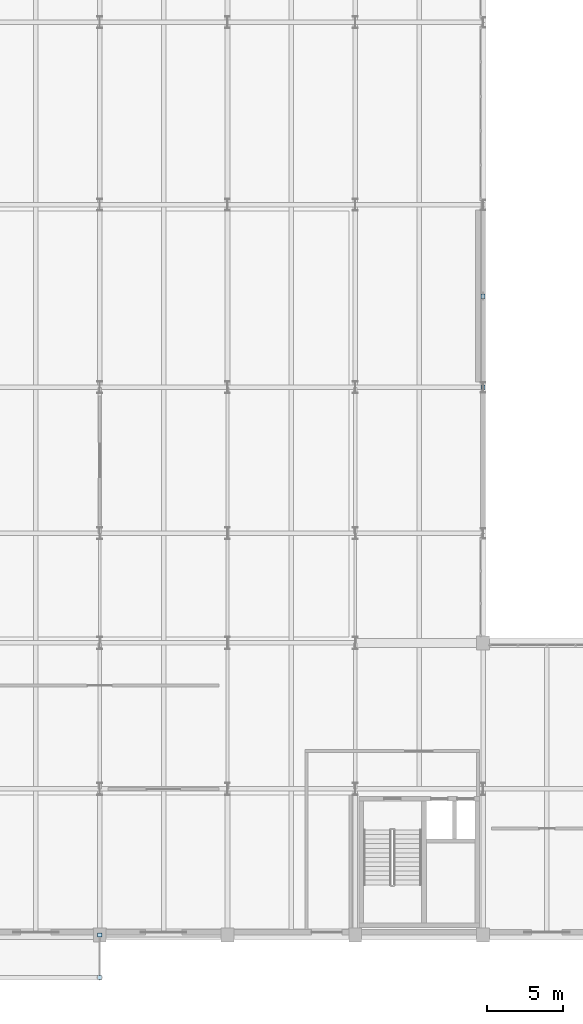
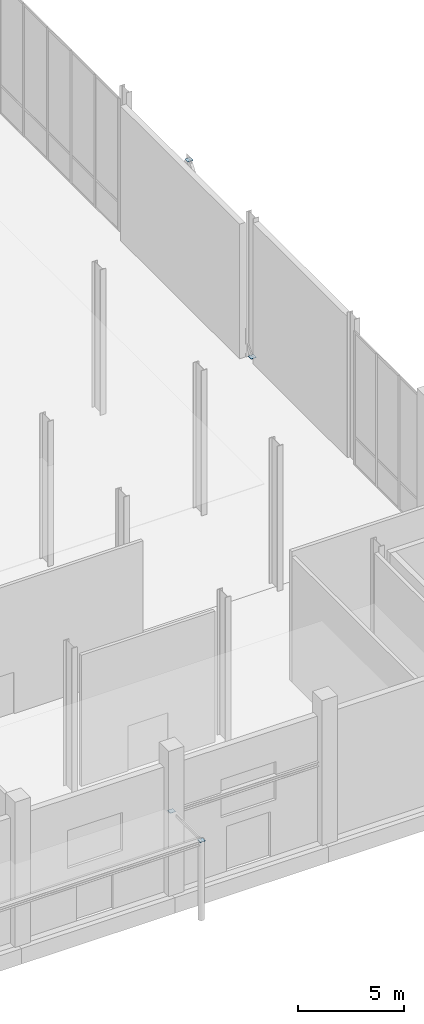
# One storey, part 111 of 131: 4 plates.
"""IFC4 building model written with IfcOpenShell, lengths in metres."""

from ifc_helpers import new_model, si_unit, direction, frame, origin, origin_2d, place, context, subcontext, project, spatial, rectangle, extrude, material, layer, layer_set, type_object, element, save


model = new_model("IFC4")

# Units and contexts
model_context = context("Model", 3, precision=1e-05, world=origin(), true_north=direction((0.0, 1.0)))
body_context = subcontext(model_context, "Body", "Model", "MODEL_VIEW")
ifc_project = project(units=[si_unit("LENGTHUNIT", "METRE"), si_unit("AREAUNIT", "SQUARE_METRE"), si_unit("VOLUMEUNIT", "CUBIC_METRE"), si_unit("PLANEANGLEUNIT", "RADIAN"), si_unit("MASSUNIT", "GRAM", prefix="KILO")], contexts=[model_context])

# Site, building, storey
site_placement = place(None, origin())
site = spatial("IfcSite", under=ifc_project, at=site_placement, CompositionType="ELEMENT")
building_placement = place(site_placement, origin())
building = spatial("IfcBuilding", under=site, at=building_placement, Name="Veltarok Museum of Natural Sciences", CompositionType="ELEMENT")
storey_placement = place(building_placement, origin())
storey = spatial("IfcBuildingStorey", under=building, at=storey_placement, Name="L00", CompositionType="ELEMENT", Elevation=0.0)

# Plates
ifc_material = material(Name="Steel S355J2", Category="steel")
ifc_layer = layer(ifc_material, 0.02001953125)
ifc_layer_set = layer_set([ifc_layer], Name="Steel S355J2")
plate_type = type_object("IfcPlateType", Name="Hollow End Closure Plate D290x20", PredefinedType="USERDEFINED", material=ifc_layer_set)
for number, where, z_axis, x_axis, name in (
    (1, (73.60009765625, -2.7958984375, 4.530029296875), (0.0, 0.0, 1.0), (0.0, 1.0, 0.0), "End Cap Plate CP-273 7"),
    (2, (73.60009765625, -0.00390625, 4.530029296875), (0.0, 0.0, 1.0), (0.0, 1.0, 0.0), "End Cap Plate CP-273 8"),
    (3, (98.800048828125, 36.00244140625, 0.14306640625), (0.0, 0.0, 1.0), (0.0, 1.0, 0.0), "End Cap Plate CP-273 444"),
    (4, (98.800048828125, 41.99755859375, 7.90673828125), (0.0, 0.0, 1.0), (0.0, 1.0, 0.0), "End Cap Plate CP-273 445"),
):
    element("IfcPlate", number, at=place(storey_placement, frame(where, z_axis=z_axis, x_axis=x_axis)), inside=storey, type_object=plate_type, Name=name, ObjectType="END CAP PLATE", PredefinedType="USERDEFINED", context=body_context, shape_type="SweptSolid", body=[
        extrude(rectangle(XDim=0.2900390625, YDim=0.2900390625, at=origin_2d()), origin(), (0.0, 0.0, 1.0), 0.02001953125),
    ])

save(model, "model.ifc")
